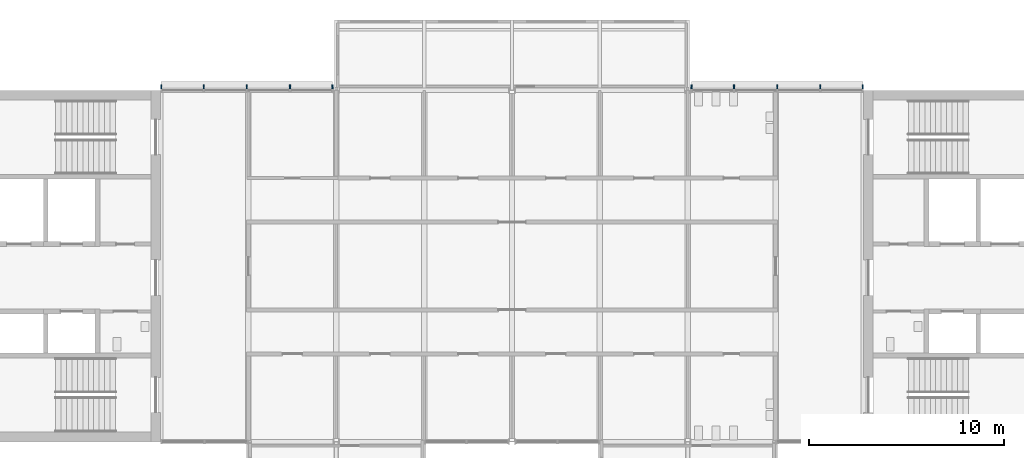
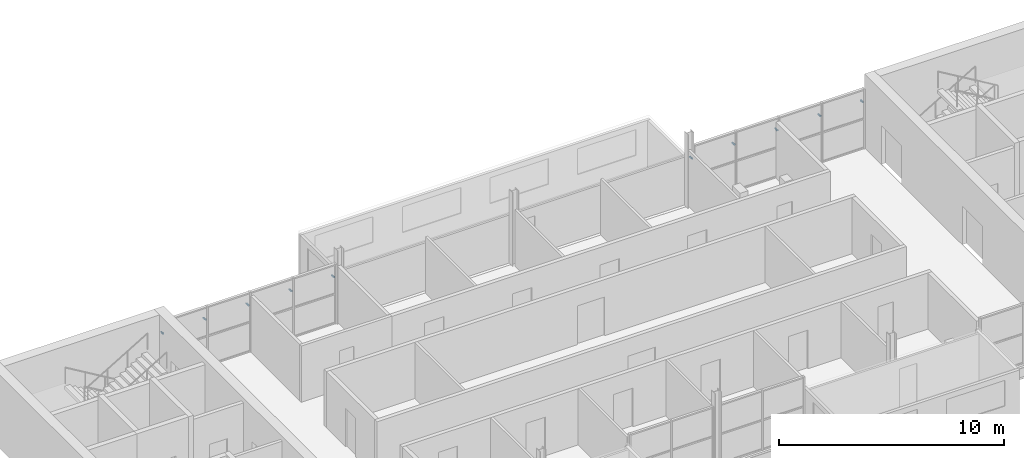
# One storey, part 10 of 12: 10 discrete accessories.
"""IFC4 building model written with IfcOpenShell, lengths in metres."""

from ifc_helpers import new_model, si_unit, direction, frame, origin, origin_2d, place, context, subcontext, project, spatial, rectangle, extrude, material, type_object, element, save


model = new_model("IFC4")

# Units and contexts
model_context = context("Model", 3, precision=1e-05, world=origin(), true_north=direction((0.0, 1.0)))
body_context = subcontext(model_context, "Body", "Model", "MODEL_VIEW")
ifc_project = project(units=[si_unit("LENGTHUNIT", "METRE"), si_unit("AREAUNIT", "SQUARE_METRE"), si_unit("VOLUMEUNIT", "CUBIC_METRE"), si_unit("PLANEANGLEUNIT", "RADIAN"), si_unit("MASSUNIT", "GRAM", prefix="KILO")], contexts=[model_context])

# Site, building, storey
site_placement = place(None, origin())
site = spatial("IfcSite", under=ifc_project, at=site_placement, CompositionType="ELEMENT")
building_placement = place(site_placement, origin())
building = spatial("IfcBuilding", under=site, at=building_placement, Name="Corbel Yard City Hall", CompositionType="ELEMENT")
storey_placement = place(building_placement, frame((0.0, 0.0, 55.199951171875)))
storey = spatial("IfcBuildingStorey", under=building, at=storey_placement, Name="L13", CompositionType="ELEMENT", Elevation=55.199951171875)

# Discrete accessories
ifc_material = material(Name="Steel Grade 300 (300 MPa yield)", Category="steel")
discrete_accessory_type = type_object("IfcDiscreteAccessoryType", Name="BK1", PredefinedType="BRACKET", material=ifc_material)
for number, where, z_axis, x_axis, name in (
    (1, (9.032470703125, 117.18994140625, 2.3984375), (0.0, 0.0, 1.0), (1.0, 0.0, 0.0), "Louvre bracket"),
    (2, (11.209228515625, 117.18994140625, 2.3984375), (0.0, 0.0, 1.0), (1.0, 0.0, 0.0), "Louvre bracket"),
    (3, (13.418212890625, 117.18994140625, 2.3984375), (0.0, 0.0, 1.0), (1.0, 0.0, 0.0), "Louvre bracket"),
    (4, (15.62744140625, 117.18994140625, 2.3984375), (0.0, 0.0, 1.0), (1.0, 0.0, 0.0), "Louvre bracket"),
    (5, (17.803955078125, 117.18994140625, 2.3984375), (0.0, 0.0, 1.0), (1.0, 0.0, 0.0), "Louvre bracket"),
    (6, (36.196044921875, 117.18994140625, 2.3984375), (0.0, 0.0, 1.0), (1.0, 0.0, 0.0), "Louvre bracket"),
    (7, (38.37255859375, 117.18994140625, 2.3984375), (0.0, 0.0, 1.0), (1.0, 0.0, 0.0), "Louvre bracket"),
    (8, (40.581787109375, 117.18994140625, 2.3984375), (0.0, 0.0, 1.0), (1.0, 0.0, 0.0), "Louvre bracket"),
    (9, (42.790771484375, 117.18994140625, 2.3984375), (0.0, 0.0, 1.0), (1.0, 0.0, 0.0), "Louvre bracket"),
    (10, (44.967529296875, 117.18994140625, 2.3984375), (0.0, 0.0, 1.0), (1.0, 0.0, 0.0), "Louvre bracket"),
):
    element("IfcDiscreteAccessory", number, at=place(storey_placement, frame(where, z_axis=z_axis, x_axis=x_axis)), inside=storey, type_object=discrete_accessory_type, Name=name, PredefinedType="BRACKET", context=body_context, shape_type="SweptSolid", body=[
        extrude(rectangle(XDim=0.06005859375, YDim=0.199951171875, at=origin_2d()), origin(), (0.0, 0.0, 1.0), 0.06005859375),
    ])

save(model, "model.ifc")
